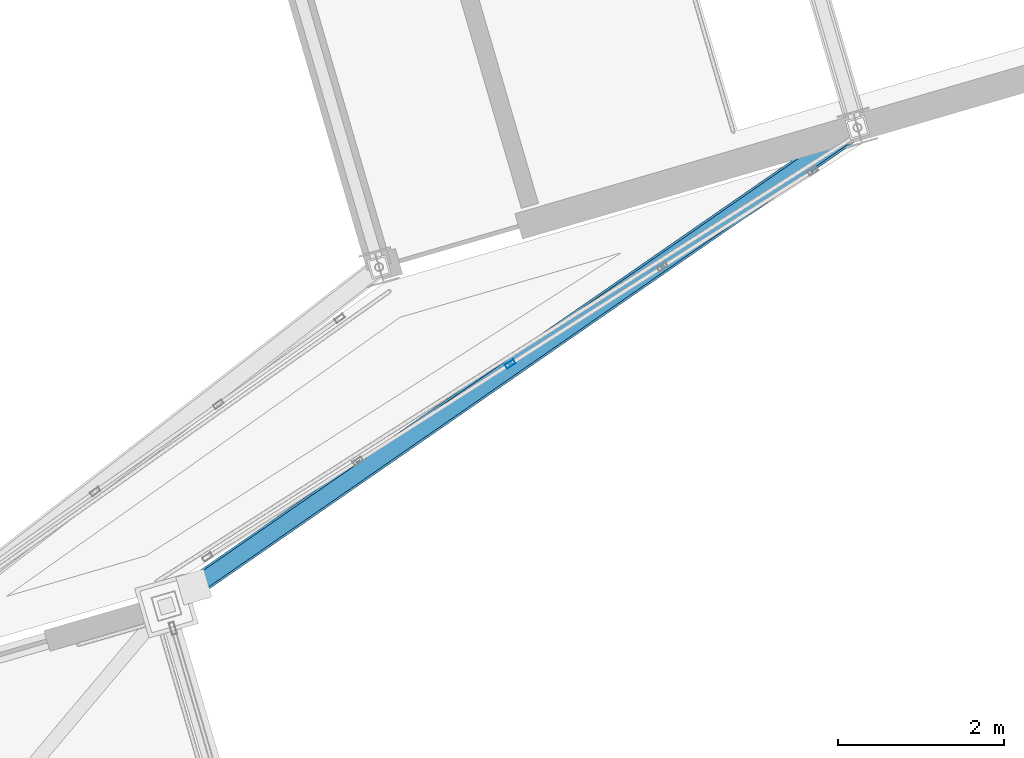
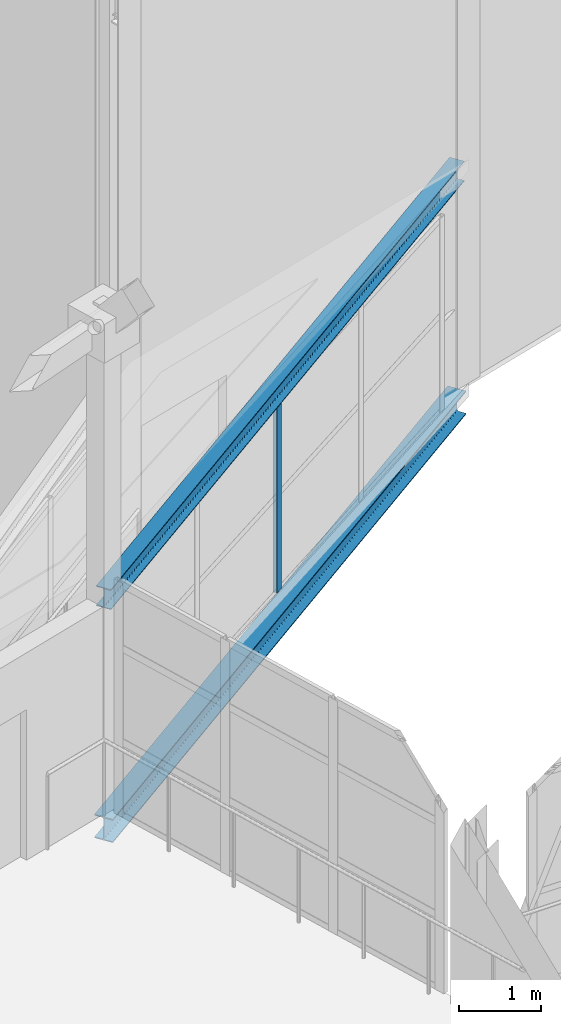
# One storey, part 132 of 248: 3 members, 1 element without a shape of its own.
"""IFC4 building model written with IfcOpenShell, lengths in metres."""

from ifc_helpers import new_model, si_unit, direction, frame, origin, origin_2d, place, context, subcontext, project, spatial, hollow_rectangle, i_section, extrude, material, layer, layer_set, material_profile, profile_set, type_object, element, aggregate, save


model = new_model("IFC4")

# Units and contexts
model_context = context("Model", 3, precision=1e-05, world=origin(), true_north=direction((0.0, 1.0)))
body_context = subcontext(model_context, "Body", "Model", "MODEL_VIEW")
ifc_project = project(units=[si_unit("LENGTHUNIT", "METRE"), si_unit("AREAUNIT", "SQUARE_METRE"), si_unit("VOLUMEUNIT", "CUBIC_METRE"), si_unit("PLANEANGLEUNIT", "RADIAN"), si_unit("MASSUNIT", "GRAM", prefix="KILO")], contexts=[model_context])

# Site, building, storey
site_placement = place(None, origin())
site = spatial("IfcSite", under=ifc_project, at=site_placement, CompositionType="ELEMENT")
building_placement = place(site_placement, origin())
building = spatial("IfcBuilding", under=site, at=building_placement, Name="Canggui Botanical Conservatory", CompositionType="ELEMENT")
storey_placement = place(building_placement, frame((0.0, 0.0, 5.39990234375)))
storey = spatial("IfcBuildingStorey", under=building, at=storey_placement, Name="L02", CompositionType="ELEMENT", Elevation=5.39990234375)

# Curtain wall, member
ifc_material_1 = material(Name="Thermally Broken Aluminium", Category="aluminium")
ifc_layer = layer(ifc_material_1, 0.1201171875, Name="Thermally Broken Aluminium", Category="aluminium")
ifc_layer_set = layer_set([ifc_layer], Name="Thermally Broken Aluminium")
curtain_wall_type = type_object("IfcCurtainWallType", Name="CW-STICK-B", PredefinedType="USERDEFINED", material=ifc_layer_set)
curtain_wall_placement = place(storey_placement, origin())
curtain_wall = element("IfcCurtainWall", 1, at=curtain_wall_placement, inside=storey, type_object=curtain_wall_type, Name="Facade Curtain Wall CW-SB-03-2", ObjectType="STICK GLAZED WALL", PredefinedType="USERDEFINED")
ifc_material_profile_1 = material_profile(ifc_material_1, hollow_rectangle(XDim=0.054931640625, YDim=0.1201171875, WallThickness=0.0029296875, at=origin_2d()), Name="CWM 55x120x3")
ifc_profile_set_1 = profile_set([ifc_material_profile_1], Name="Thermally Broken Aluminium")
member_type_1 = type_object("IfcMemberType", Name="CWM-05", PredefinedType="MULLION", material=ifc_profile_set_1)
member_1_placement = place(storey_placement, frame((67.57861328125, 88.833740234375, 0.0), z_axis=(0.0, 0.0, 1.0), x_axis=(-0.537600449716, 0.843199713274, 0.0)))
member_1 = element("IfcMember", 2, at=member_1_placement, type_object=member_type_1, Name="CW-05 mullion 3", PredefinedType="MULLION", context=body_context, shape_type="SweptSolid", body=[
    extrude(hollow_rectangle(XDim=0.054931640625, YDim=0.1201171875, WallThickness=0.0029296875, at=origin_2d()), origin(), (0.0, 0.0, 1.0), 2.900146484375),
])
aggregate(curtain_wall, [member_1])

# Members
ifc_material_2 = material(Name="Steel Q355B", Category="steel")
ifc_material_profile_2 = material_profile(ifc_material_2, i_section(OverallWidth=0.25, OverallDepth=0.35009765625, WebThickness=0.009033203125, FlangeThickness=0.013916015625, FilletRadius=0.02001953125, at=origin_2d()), Name="HM 350x250x9x14")
ifc_profile_set_2 = profile_set([ifc_material_profile_2], Name="Steel Q355B")
member_type_2 = type_object("IfcMemberType", Name="MEM-TC03", PredefinedType="CHORD", material=ifc_profile_set_2)
member_2_placement = place(storey_placement, frame((63.43994140625, 85.919921875, -0.349853515625), z_axis=(0.82219392872, 0.569207469712, 0.0), x_axis=(-0.569207469712, 0.82219392872, 0.0)))
element("IfcMember", 3, at=member_2_placement, inside=storey, type_object=member_type_2, Name="SB-03 Deck Truss Bottom Chord 2", PredefinedType="CHORD", context=body_context, shape_type="SweptSolid", body=[
    extrude(i_section(OverallWidth=0.25, OverallDepth=0.35009765625, WebThickness=0.009033203125, FlangeThickness=0.013916015625, FilletRadius=0.02001953125, at=origin_2d()), origin(), (0.0, 0.0, 1.0), 10.119384765625),
])
ifc_material_profile_3 = material_profile(ifc_material_2, i_section(OverallWidth=0.199951171875, OverallDepth=0.300048828125, WebThickness=0.008056640625, FlangeThickness=0.011962890625, FilletRadius=0.01806640625, at=origin_2d()), Name="HM 300x200x8x12")
ifc_profile_set_3 = profile_set([ifc_material_profile_3], Name="Steel Q355B")
member_type_3 = type_object("IfcMemberType", Name="MEM-TC04", PredefinedType="CHORD", material=ifc_profile_set_3)
member_3_placement = place(storey_placement, frame((63.43994140625, 85.919921875, 3.10009765625), z_axis=(0.82219392872, 0.569207469712, 0.0), x_axis=(-0.569207469712, 0.82219392872, 0.0)))
element("IfcMember", 4, at=member_3_placement, inside=storey, type_object=member_type_3, Name="SB-03 Roof Truss Top Chord 2", PredefinedType="CHORD", context=body_context, shape_type="SweptSolid", body=[
    extrude(i_section(OverallWidth=0.199951171875, OverallDepth=0.300048828125, WebThickness=0.008056640625, FlangeThickness=0.011962890625, FilletRadius=0.01806640625, at=origin_2d()), origin(), (0.0, 0.0, 1.0), 10.119384765625),
])

save(model, "model.ifc")
